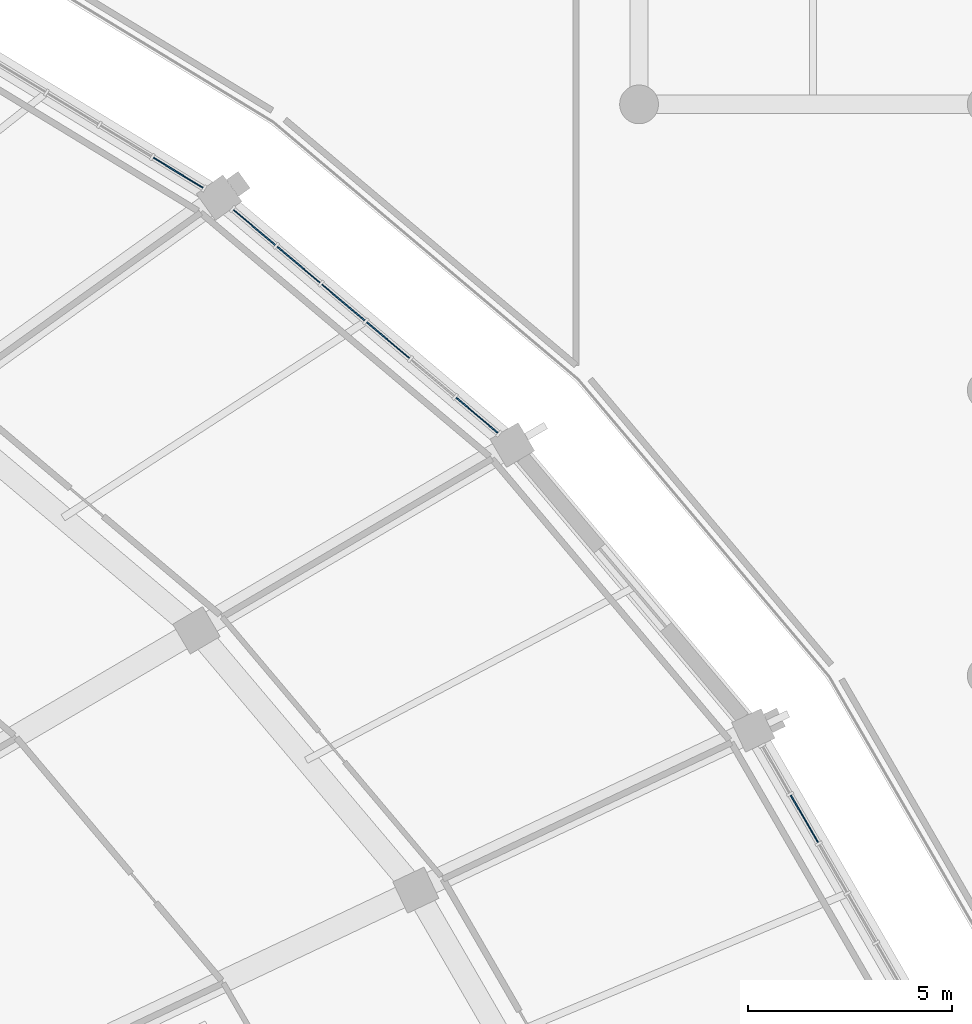
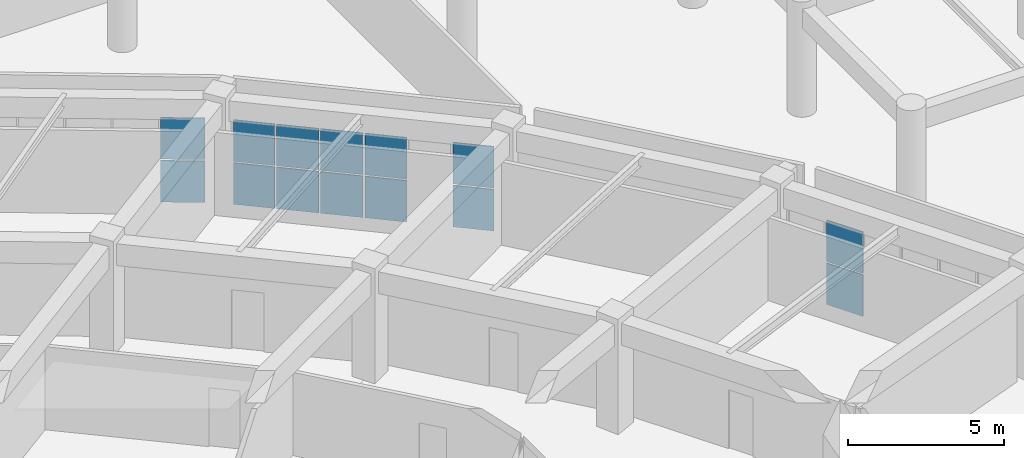
# One storey, part 91 of 145: 14 plates, 3 elements without a shape of their own.
"""IFC4 building model written with IfcOpenShell, lengths in metres."""

from ifc_helpers import new_model, si_unit, direction, frame, origin, origin_2d, place, context, subcontext, project, spatial, rectangle, extrude, material, layer, layer_set, type_object, element, aggregate, save


model = new_model("IFC4")

# Units and contexts
model_context = context("Model", 3, precision=1e-05, world=origin(), true_north=direction((0.0, 1.0)))
body_context = subcontext(model_context, "Body", "Model", "MODEL_VIEW")
ifc_project = project(units=[si_unit("LENGTHUNIT", "METRE"), si_unit("AREAUNIT", "SQUARE_METRE"), si_unit("VOLUMEUNIT", "CUBIC_METRE"), si_unit("PLANEANGLEUNIT", "RADIAN"), si_unit("MASSUNIT", "GRAM", prefix="KILO")], contexts=[model_context])

# Site, building, storey
site_placement = place(None, origin())
site = spatial("IfcSite", under=ifc_project, at=site_placement, CompositionType="ELEMENT")
building_placement = place(site_placement, origin())
building = spatial("IfcBuilding", under=site, at=building_placement, Name="Mphavela Belvedere Stadium", CompositionType="ELEMENT")
storey_placement = place(building_placement, frame((0.0, 0.0, 10.199951171875)))
storey = spatial("IfcBuildingStorey", under=building, at=storey_placement, Name="L02", CompositionType="ELEMENT", Elevation=10.199951171875)

# Curtain wall, plates
ifc_material_1 = material(Name="Anodised bronze unitised curtain wall framing")
ifc_layer_1 = layer(ifc_material_1, 0.18505859375)
ifc_layer_set_1 = layer_set([ifc_layer_1], Name="Anodised bronze unitised curtain wall framing")
curtain_wall_type_1 = type_object("IfcCurtainWallType", Name="CW-UNIT-02", PredefinedType="USERDEFINED", material=ifc_layer_set_1)
curtain_wall_1_placement = place(storey_placement, origin())
curtain_wall_1 = element("IfcCurtainWall", 1, at=curtain_wall_1_placement, inside=storey, type_object=curtain_wall_type_1, Name="Belvedere colonnade curtain wall L02-04", ObjectType="UNITISED CURTAIN WALL", PredefinedType="USERDEFINED")
ifc_material_2 = material(Name="Solar-control double glazing", Category="glass")
ifc_layer_2 = layer(ifc_material_2, 0.031982421875)
ifc_layer_set_2 = layer_set([ifc_layer_2], Name="Solar-control double glazing")
plate_type = type_object("IfcPlateType", Name="CWP-SOLAR-GLASS", PredefinedType="CURTAIN_PANEL", material=ifc_layer_set_2)
plate_1_placement = place(storey_placement, frame((208.49560546875, 128.494384765625, 0.06005859375), z_axis=(0.0, 0.0, 1.0), x_axis=(-0.500562469533, 0.865700418213, 0.0)))
plate_1 = element("IfcPlate", 2, at=plate_1_placement, type_object=plate_type, Name="CW-02 panel 5.1", PredefinedType="CURTAIN_PANEL", context=body_context, shape_type="SweptSolid", body=[
    extrude(rectangle(XDim=1.33837890625, YDim=0.031982421875, at=origin_2d()), origin(), (0.0, 0.0, 1.0), 1.6201171875),
])
plate_2_placement = place(storey_placement, frame((208.49560546875, 128.494384765625, 1.739990234375), z_axis=(0.0, 0.0, 1.0), x_axis=(-0.500562469533, 0.865700418213, 0.0)))
plate_2 = element("IfcPlate", 3, at=plate_2_placement, type_object=plate_type, Name="CW-02 panel 5.2", PredefinedType="CURTAIN_PANEL", context=body_context, shape_type="SweptSolid", body=[
    extrude(rectangle(XDim=1.33837890625, YDim=0.031982421875, at=origin_2d()), origin(), (0.0, 0.0, 1.0), 1.6201171875),
])
aggregate(curtain_wall_1, [plate_1, plate_2])

ifc_material_3 = material(Name="Anodised bronze unitised curtain wall framing")
ifc_layer_3 = layer(ifc_material_3, 0.18994140625)
ifc_layer_set_3 = layer_set([ifc_layer_3], Name="Anodised bronze unitised curtain wall framing")
curtain_wall_type_2 = type_object("IfcCurtainWallType", Name="CW-UNIT-03", PredefinedType="USERDEFINED", material=ifc_layer_set_3)
curtain_wall_2_placement = place(storey_placement, origin())
curtain_wall_2 = element("IfcCurtainWall", 4, at=curtain_wall_2_placement, inside=storey, type_object=curtain_wall_type_2, Name="Belvedere colonnade curtain wall L02-06", ObjectType="UNITISED CURTAIN WALL", PredefinedType="USERDEFINED")
plate_3_placement = place(storey_placement, frame((200.473876953125, 138.383056640625, 0.06005859375), z_axis=(0.0, 0.0, 1.0), x_axis=(-0.764260865126, 0.644907225915, 0.0)))
plate_3 = element("IfcPlate", 5, at=plate_3_placement, type_object=plate_type, Name="CW-03 panel 1.1", PredefinedType="CURTAIN_PANEL", context=body_context, shape_type="SweptSolid", body=[
    extrude(rectangle(XDim=1.336181640625, YDim=0.031982421875, at=origin_2d()), origin(), (0.0, 0.0, 1.0), 1.6201171875),
])
plate_4_placement = place(storey_placement, frame((200.473876953125, 138.383056640625, 1.739990234375), z_axis=(0.0, 0.0, 1.0), x_axis=(-0.764260865126, 0.644907225915, 0.0)))
plate_4 = element("IfcPlate", 6, at=plate_4_placement, type_object=plate_type, Name="CW-03 panel 1.2", PredefinedType="CURTAIN_PANEL", context=body_context, shape_type="SweptSolid", body=[
    extrude(rectangle(XDim=1.336181640625, YDim=0.031982421875, at=origin_2d()), origin(), (0.0, 0.0, 1.0), 1.6201171875),
])
plate_5_placement = place(storey_placement, frame((198.294921875, 140.2216796875, 0.06005859375), z_axis=(0.0, 0.0, 1.0), x_axis=(-0.764260865126, 0.644907225915, 0.0)))
plate_5 = element("IfcPlate", 7, at=plate_5_placement, type_object=plate_type, Name="CW-03 panel 3.1", PredefinedType="CURTAIN_PANEL", context=body_context, shape_type="SweptSolid", body=[
    extrude(rectangle(XDim=1.36865234375, YDim=0.031982421875, at=origin_2d()), origin(), (0.0, 0.0, 1.0), 1.6201171875),
])
plate_6_placement = place(storey_placement, frame((198.294921875, 140.2216796875, 1.739990234375), z_axis=(0.0, 0.0, 1.0), x_axis=(-0.764260865126, 0.644907225915, 0.0)))
plate_6 = element("IfcPlate", 8, at=plate_6_placement, type_object=plate_type, Name="CW-03 panel 3.2", PredefinedType="CURTAIN_PANEL", context=body_context, shape_type="SweptSolid", body=[
    extrude(rectangle(XDim=1.36865234375, YDim=0.031982421875, at=origin_2d()), origin(), (0.0, 0.0, 1.0), 1.6201171875),
])
plate_7_placement = place(storey_placement, frame((197.198974609375, 141.146240234375, 0.06005859375), z_axis=(0.0, 0.0, 1.0), x_axis=(-0.764260865126, 0.644907225915, 0.0)))
plate_7 = element("IfcPlate", 9, at=plate_7_placement, type_object=plate_type, Name="CW-03 panel 4.1", PredefinedType="CURTAIN_PANEL", context=body_context, shape_type="SweptSolid", body=[
    extrude(rectangle(XDim=1.36865234375, YDim=0.031982421875, at=origin_2d()), origin(), (0.0, 0.0, 1.0), 1.6201171875),
])
plate_8_placement = place(storey_placement, frame((197.198974609375, 141.146240234375, 1.739990234375), z_axis=(0.0, 0.0, 1.0), x_axis=(-0.764260865126, 0.644907225915, 0.0)))
plate_8 = element("IfcPlate", 10, at=plate_8_placement, type_object=plate_type, Name="CW-03 panel 4.2", PredefinedType="CURTAIN_PANEL", context=body_context, shape_type="SweptSolid", body=[
    extrude(rectangle(XDim=1.36865234375, YDim=0.031982421875, at=origin_2d()), origin(), (0.0, 0.0, 1.0), 1.6201171875),
])
plate_9_placement = place(storey_placement, frame((196.103271484375, 142.07080078125, 0.06005859375), z_axis=(0.0, 0.0, 1.0), x_axis=(-0.764260865126, 0.644907225915, 0.0)))
plate_9 = element("IfcPlate", 11, at=plate_9_placement, type_object=plate_type, Name="CW-03 panel 5.1", PredefinedType="CURTAIN_PANEL", context=body_context, shape_type="SweptSolid", body=[
    extrude(rectangle(XDim=1.36865234375, YDim=0.031982421875, at=origin_2d()), origin(), (0.0, 0.0, 1.0), 1.6201171875),
])
plate_10_placement = place(storey_placement, frame((196.103271484375, 142.07080078125, 1.739990234375), z_axis=(0.0, 0.0, 1.0), x_axis=(-0.764260865126, 0.644907225915, 0.0)))
plate_10 = element("IfcPlate", 12, at=plate_10_placement, type_object=plate_type, Name="CW-03 panel 5.2", PredefinedType="CURTAIN_PANEL", context=body_context, shape_type="SweptSolid", body=[
    extrude(rectangle(XDim=1.36865234375, YDim=0.031982421875, at=origin_2d()), origin(), (0.0, 0.0, 1.0), 1.6201171875),
])
plate_11_placement = place(storey_placement, frame((195.02001953125, 142.985107421875, 0.06005859375), z_axis=(0.0, 0.0, 1.0), x_axis=(-0.764260865126, 0.644907225915, 0.0)))
plate_11 = element("IfcPlate", 13, at=plate_11_placement, type_object=plate_type, Name="CW-03 panel 6.1", PredefinedType="CURTAIN_PANEL", context=body_context, shape_type="SweptSolid", body=[
    extrude(rectangle(XDim=1.336181640625, YDim=0.031982421875, at=origin_2d()), origin(), (0.0, 0.0, 1.0), 1.6201171875),
])
plate_12_placement = place(storey_placement, frame((195.02001953125, 142.985107421875, 1.739990234375), z_axis=(0.0, 0.0, 1.0), x_axis=(-0.764260865126, 0.644907225915, 0.0)))
plate_12 = element("IfcPlate", 14, at=plate_12_placement, type_object=plate_type, Name="CW-03 panel 6.2", PredefinedType="CURTAIN_PANEL", context=body_context, shape_type="SweptSolid", body=[
    extrude(rectangle(XDim=1.336181640625, YDim=0.031982421875, at=origin_2d()), origin(), (0.0, 0.0, 1.0), 1.6201171875),
])
aggregate(curtain_wall_2, [plate_3, plate_4, plate_5, plate_6, plate_7, plate_8, plate_9, plate_10, plate_11, plate_12])

ifc_material_4 = material(Name="Anodised bronze unitised curtain wall framing")
ifc_layer_4 = layer(ifc_material_4, 0.195068359375)
ifc_layer_set_4 = layer_set([ifc_layer_4], Name="Anodised bronze unitised curtain wall framing")
curtain_wall_type_3 = type_object("IfcCurtainWallType", Name="CW-UNIT-04", PredefinedType="USERDEFINED", material=ifc_layer_set_4)
curtain_wall_3_placement = place(storey_placement, origin())
curtain_wall_3 = element("IfcCurtainWall", 15, at=curtain_wall_3_placement, inside=storey, type_object=curtain_wall_type_3, Name="Belvedere colonnade curtain wall L02-07", ObjectType="UNITISED CURTAIN WALL", PredefinedType="USERDEFINED")
plate_13_placement = place(storey_placement, frame((193.1533203125, 144.32421875, 0.06005859375), z_axis=(0.0, 0.0, 1.0), x_axis=(-0.85432958476, 0.519731623633, 0.0)))
plate_13 = element("IfcPlate", 16, at=plate_13_placement, type_object=plate_type, Name="CW-04 panel 1.1", PredefinedType="CURTAIN_PANEL", context=body_context, shape_type="SweptSolid", body=[
    extrude(rectangle(XDim=1.420166015625, YDim=0.031982421875, at=origin_2d()), origin(), (0.0, 0.0, 1.0), 1.6201171875),
])
plate_14_placement = place(storey_placement, frame((193.1533203125, 144.32421875, 1.739990234375), z_axis=(0.0, 0.0, 1.0), x_axis=(-0.85432958476, 0.519731623633, 0.0)))
plate_14 = element("IfcPlate", 17, at=plate_14_placement, type_object=plate_type, Name="CW-04 panel 1.2", PredefinedType="CURTAIN_PANEL", context=body_context, shape_type="SweptSolid", body=[
    extrude(rectangle(XDim=1.420166015625, YDim=0.031982421875, at=origin_2d()), origin(), (0.0, 0.0, 1.0), 1.6201171875),
])
aggregate(curtain_wall_3, [plate_13, plate_14])

save(model, "model.ifc")
